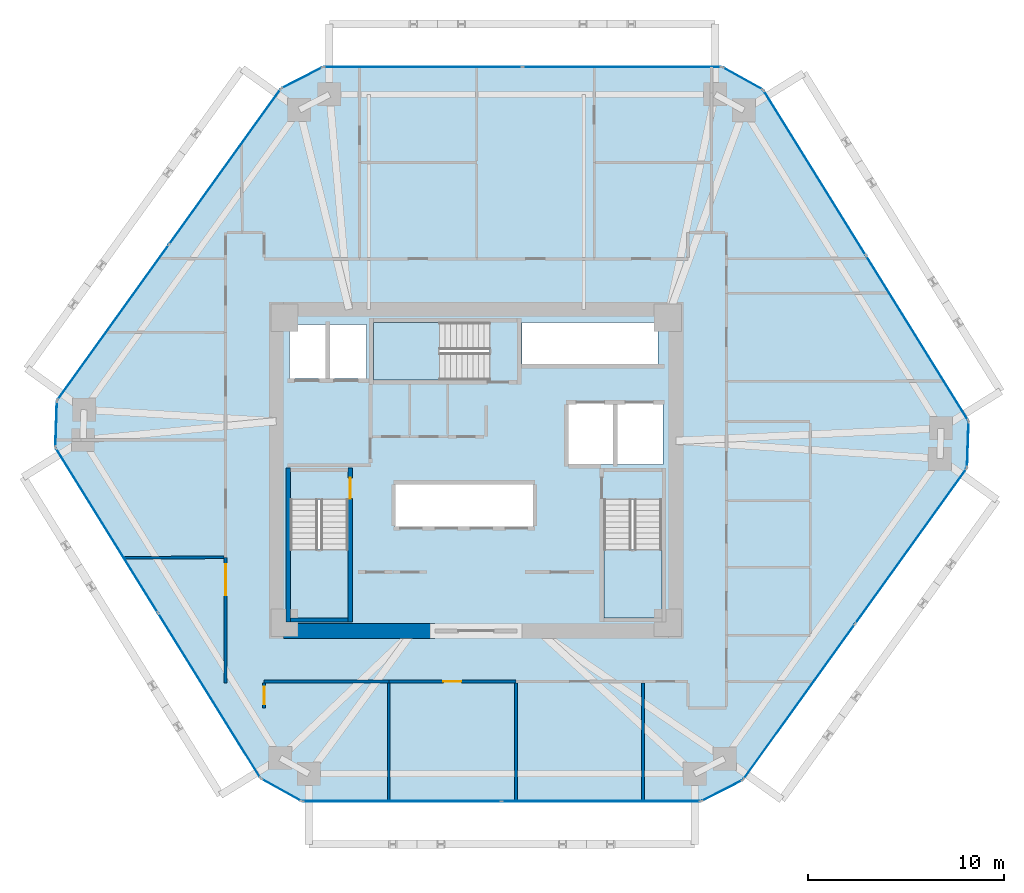
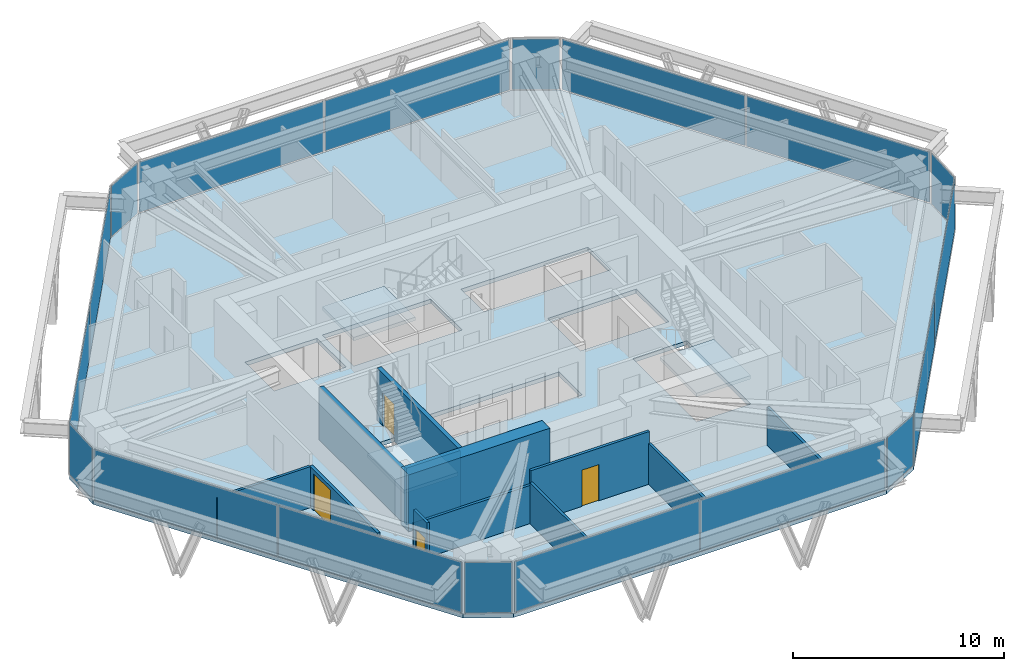
# One storey, part 9 of 14: 18 plates, 12 walls, 4 doors, 4 slabs, 4 openings, 15 elements without a shape of their own.
"""IFC4 building model written with IfcOpenShell, lengths in metres."""

from ifc_helpers import new_model, si_unit, direction, frame, frame_2d, origin, origin_2d, place, context, subcontext, project, spatial, polyline, rectangle, outline, extrude, source, transform, mapped, material, layer, layer_set, type_object, type_shapes, element, fill, aggregate, save


model = new_model("IFC4")

# Units and contexts
model_context = context("Model", 3, precision=1e-05, world=origin(), true_north=direction((0.0, 1.0)))
body_context = subcontext(model_context, "Body", "Model", "MODEL_VIEW")
ifc_project = project(units=[si_unit("LENGTHUNIT", "METRE"), si_unit("AREAUNIT", "SQUARE_METRE"), si_unit("VOLUMEUNIT", "CUBIC_METRE"), si_unit("PLANEANGLEUNIT", "RADIAN"), si_unit("MASSUNIT", "GRAM", prefix="KILO")], contexts=[model_context])

# Site, building, storey
site_placement = place(None, origin())
site = spatial("IfcSite", under=ifc_project, at=site_placement, CompositionType="ELEMENT")
building_placement = place(site_placement, origin())
building = spatial("IfcBuilding", under=site, at=building_placement, Name="Durnholm Broadcast Tower", CompositionType="ELEMENT")
storey_placement = place(building_placement, frame((0.0, 0.0, 120.60009765625)))
storey = spatial("IfcBuildingStorey", under=building, at=storey_placement, Name="L32", CompositionType="ELEMENT", Elevation=120.60009765625)

# Slab
ifc_material_1 = material(Name="Concrete C50/60", Category="concrete")
ifc_layer_1 = layer(ifc_material_1, 0.239990234375)
ifc_layer_set_1 = layer_set([ifc_layer_1], Name="Concrete C50/60")
slab_type_1 = type_object("IfcSlabType", Name="SLAB-FLR-240", PredefinedType="FLOOR", material=ifc_layer_set_1)
slab_1_placement = place(storey_placement, frame((0.0, 0.0, -0.239990234375)))
element("IfcSlab", 1, at=slab_1_placement, inside=storey, type_object=slab_type_1, Name="L32 structural floor slab", PredefinedType="FLOOR", context=body_context, shape_type="SweptSolid", body=[
    extrude(outline(polyline([(-11.012451171875, -15.77001953125), (-8.915283203125, -16.93701171875), (11.51416015625, -16.93701171875), (13.649658203125, -15.841796875), (25.11279296875, 0.114990234375), (25.1943359375, 2.513671875), (14.6904296875, 19.447998046875), (12.59326171875, 20.614990234375), (-7.836181640625, 20.614990234375), (-9.9716796875, 19.519775390625), (-21.434814453125, 3.56298828125), (-21.516357421875, 1.164306640625), (-11.012451171875, -15.77001953125)]), holes=[polyline([(-6.5400390625, -1.5), (-9.5, -1.5), (-9.5, -7.550048828125), (-6.5400390625, -7.550048828125), (-6.5400390625, -1.5)]), polyline([(9.5, -7.550048828125), (9.5, -1.5), (6.5400390625, -1.5), (6.5400390625, -7.550048828125), (9.5, -7.550048828125)]), polyline([(2.949951171875, -0.699951171875), (-4.14990234375, -0.699951171875), (-4.14990234375, -2.89990234375), (2.949951171875, -2.89990234375), (2.949951171875, -0.699951171875)]), polyline([(9.550048828125, 3.39990234375), (4.699951171875, 3.39990234375), (4.699951171875, 0.300048828125), (9.550048828125, 0.300048828125), (9.550048828125, 3.39990234375)]), polyline([(-5.60009765625, 7.449951171875), (-9.550048828125, 7.449951171875), (-9.550048828125, 4.699951171875), (-5.60009765625, 4.699951171875), (-5.60009765625, 7.449951171875)]), polyline([(-5.25, 4.60009765625), (0.699951171875, 4.60009765625), (0.699951171875, 7.56005859375), (-5.25, 7.56005859375), (-5.25, 4.60009765625)]), polyline([(9.31005859375, 7.550048828125), (2.35009765625, 7.550048828125), (2.35009765625, 5.39990234375), (9.31005859375, 5.39990234375), (9.31005859375, 7.550048828125)])]), origin(), (0.0, 0.0, 1.0), 0.239990234375),
])

# Stair, slab
stair_type = type_object("IfcStairType", Name="STAIR-DL-20R1650", PredefinedType="HALF_TURN_STAIR", material=ifc_material_1)
stair_1_placement = place(storey_placement, origin())
stair_1 = element("IfcStair", 2, at=stair_1_placement, inside=storey, type_object=stair_type, Name="L32 ST-1", PredefinedType="HALF_TURN_STAIR")
ifc_layer_2 = layer(ifc_material_1, 0.199951171875)
ifc_layer_set_2 = layer_set([ifc_layer_2], Name="Concrete C50/60")
slab_type_2 = type_object("IfcSlabType", Name="SLAB-LND-200", PredefinedType="LANDING", material=ifc_layer_set_2)
slab_2_placement = place(storey_placement, frame((0.0, 0.0, 1.449951171875)))
slab_2 = element("IfcSlab", 3, at=slab_2_placement, type_object=slab_type_2, Name="ST-1 landing 1", PredefinedType="LANDING", context=body_context, shape_type="SweptSolid", body=[
    extrude(outline(polyline([(-9.5, -4.06494140625), (-9.5, -7.550048828125), (-6.5400390625, -7.550048828125), (-6.5400390625, -4.06494140625), (-9.5, -4.06494140625)])), origin(), (0.0, 0.0, 1.0), 0.199951171875),
])
aggregate(stair_1, [slab_2])

stair_2_placement = place(storey_placement, origin())
stair_2 = element("IfcStair", 4, at=stair_2_placement, inside=storey, type_object=stair_type, Name="L32 ST-2", PredefinedType="HALF_TURN_STAIR")
slab_3_placement = place(storey_placement, frame((0.0, 0.0, 1.449951171875)))
slab_3 = element("IfcSlab", 5, at=slab_3_placement, type_object=slab_type_2, Name="ST-2 landing 1", PredefinedType="LANDING", context=body_context, shape_type="SweptSolid", body=[
    extrude(outline(polyline([(6.5400390625, -4.06494140625), (6.5400390625, -7.550048828125), (9.5, -7.550048828125), (9.5, -4.06494140625), (6.5400390625, -4.06494140625)])), origin(), (0.0, 0.0, 1.0), 0.199951171875),
])
aggregate(stair_2, [slab_3])

stair_3_placement = place(storey_placement, origin())
stair_3 = element("IfcStair", 6, at=stair_3_placement, inside=storey, type_object=stair_type, Name="L32 ST-3", PredefinedType="HALF_TURN_STAIR")
slab_4_placement = place(storey_placement, frame((0.0, 0.0, 1.449951171875)))
slab_4 = element("IfcSlab", 7, at=slab_4_placement, type_object=slab_type_2, Name="ST-3 landing 1", PredefinedType="LANDING", context=body_context, shape_type="SweptSolid", body=[
    extrude(outline(polyline([(-1.864990234375, 7.56005859375), (-5.25, 7.56005859375), (-5.25, 4.60009765625), (-1.864990234375, 4.60009765625), (-1.864990234375, 7.56005859375)])), origin(), (0.0, 0.0, 1.0), 0.199951171875),
])
aggregate(stair_3, [slab_4])

# Curtain wall, plate
ifc_material_2 = material(Name="Aluminium and Solar Control IGU", Category="aluminium")
ifc_layer_3 = layer(ifc_material_2, 0.1650390625)
ifc_layer_set_3 = layer_set([ifc_layer_3], Name="Aluminium and Solar Control IGU")
curtain_wall_type_1 = type_object("IfcCurtainWallType", Name="CW-SYS-5", PredefinedType="NOTDEFINED", material=ifc_layer_set_3)
curtain_wall_1_placement = place(storey_placement, origin())
curtain_wall_1 = element("IfcCurtainWall", 8, at=curtain_wall_1_placement, inside=storey, type_object=curtain_wall_type_1, Name="L32 curtain wall CW-CORNER CW-L32-CRN-01", PredefinedType="NOTDEFINED")
ifc_material_3 = material(Name="Low-E Laminated Insulating Glass", Category="glass")
ifc_layer_4 = layer(ifc_material_3, 0.030029296875)
ifc_layer_set_4 = layer_set([ifc_layer_4], Name="Low-E Laminated Insulating Glass")
plate_type_1 = type_object("IfcPlateType", Name="CW-SYS-5-PNL", PredefinedType="CURTAIN_PANEL", material=ifc_layer_set_4)
shared_shape_1 = source(origin(), body_context, "Body", "SweptSolid", [
    extrude(rectangle(XDim=2.27001953125, YDim=0.030029296875, at=origin_2d()), origin(), (0.0, 0.0, 1.0), 2.929931640625),
])
type_shapes(plate_type_1, [shared_shape_1])
plate_1_placement = place(storey_placement, frame((-21.4755859375, 2.36376953125, 0.06494140625), z_axis=(0.0, 0.0, 1.0), x_axis=(0.033916937775, 0.999424655155, 0.0)))
plate_1 = element("IfcPlate", 9, at=plate_1_placement, type_object=plate_type_1, Name="CW-CORNER panel 1.1", PredefinedType="CURTAIN_PANEL", context=body_context, shape_type="MappedRepresentation", body=[
    mapped(shared_shape_1, transform((0.0, 0.0, 0.0), x_axis=(1.0, 0.0, 0.0), y_axis=(0.0, 1.0, 0.0), z_axis=(0.0, 0.0, 1.0), scale=1.0)),
])
aggregate(curtain_wall_1, [plate_1])

curtain_wall_2_placement = place(storey_placement, origin())
curtain_wall_2 = element("IfcCurtainWall", 10, at=curtain_wall_2_placement, inside=storey, type_object=curtain_wall_type_1, Name="L32 curtain wall CW-CORNER CW-L32-CRN-03", PredefinedType="NOTDEFINED")
plate_2_placement = place(storey_placement, frame((-8.904052734375, 20.0673828125, 0.06494140625), z_axis=(0.0, 0.0, 1.0), x_axis=(0.889788396392, 0.45637332267, 0.0)))
plate_2 = element("IfcPlate", 11, at=plate_2_placement, type_object=plate_type_1, Name="CW-CORNER panel 1.1", PredefinedType="CURTAIN_PANEL", context=body_context, shape_type="MappedRepresentation", body=[
    mapped(shared_shape_1, transform((0.0, 0.0, 0.0), x_axis=(1.0, 0.0, 0.0), y_axis=(0.0, 1.0, 0.0), z_axis=(0.0, 0.0, 1.0), scale=1.0)),
])
aggregate(curtain_wall_2, [plate_2])

curtain_wall_3_placement = place(storey_placement, origin())
curtain_wall_3 = element("IfcCurtainWall", 12, at=curtain_wall_3_placement, inside=storey, type_object=curtain_wall_type_1, Name="L32 curtain wall CW-CORNER CW-L32-CRN-05", PredefinedType="NOTDEFINED")
plate_3_placement = place(storey_placement, frame((13.641845703125, 20.031494140625, 0.06494140625), z_axis=(0.0, 0.0, 1.0), x_axis=(0.873822953715, -0.486244224192, 0.0)))
plate_3 = element("IfcPlate", 13, at=plate_3_placement, type_object=plate_type_1, Name="CW-CORNER panel 1.1", PredefinedType="CURTAIN_PANEL", context=body_context, shape_type="MappedRepresentation", body=[
    mapped(shared_shape_1, transform((0.0, 0.0, 0.0), x_axis=(1.0, 0.0, 0.0), y_axis=(0.0, 1.0, 0.0), z_axis=(0.0, 0.0, 1.0), scale=1.0)),
])
aggregate(curtain_wall_3, [plate_3])

curtain_wall_4_placement = place(storey_placement, origin())
curtain_wall_4 = element("IfcCurtainWall", 14, at=curtain_wall_4_placement, inside=storey, type_object=curtain_wall_type_1, Name="L32 curtain wall CW-CORNER CW-L32-CRN-07", PredefinedType="NOTDEFINED")
plate_4_placement = place(storey_placement, frame((25.153564453125, 1.314208984375, 0.06494140625), z_axis=(0.0, 0.0, 1.0), x_axis=(-0.033916937775, -0.999424655155, 0.0)))
plate_4 = element("IfcPlate", 15, at=plate_4_placement, type_object=plate_type_1, Name="CW-CORNER panel 1.1", PredefinedType="CURTAIN_PANEL", context=body_context, shape_type="MappedRepresentation", body=[
    mapped(shared_shape_1, transform((0.0, 0.0, 0.0), x_axis=(1.0, 0.0, 0.0), y_axis=(0.0, 1.0, 0.0), z_axis=(0.0, 0.0, 1.0), scale=1.0)),
])
aggregate(curtain_wall_4, [plate_4])

curtain_wall_5_placement = place(storey_placement, origin())
curtain_wall_5 = element("IfcCurtainWall", 16, at=curtain_wall_5_placement, inside=storey, type_object=curtain_wall_type_1, Name="L32 curtain wall CW-CORNER CW-L32-CRN-09", PredefinedType="NOTDEFINED")
plate_5_placement = place(storey_placement, frame((12.58203125, -16.389404296875, 0.06494140625), z_axis=(0.0, 0.0, 1.0), x_axis=(-0.889788396392, -0.45637332267, 0.0)))
plate_5 = element("IfcPlate", 17, at=plate_5_placement, type_object=plate_type_1, Name="CW-CORNER panel 1.1", PredefinedType="CURTAIN_PANEL", context=body_context, shape_type="MappedRepresentation", body=[
    mapped(shared_shape_1, transform((0.0, 0.0, 0.0), x_axis=(1.0, 0.0, 0.0), y_axis=(0.0, 1.0, 0.0), z_axis=(0.0, 0.0, 1.0), scale=1.0)),
])
aggregate(curtain_wall_5, [plate_5])

curtain_wall_6_placement = place(storey_placement, origin())
curtain_wall_6 = element("IfcCurtainWall", 18, at=curtain_wall_6_placement, inside=storey, type_object=curtain_wall_type_1, Name="L32 curtain wall CW-CORNER CW-L32-CRN-11", PredefinedType="NOTDEFINED")
plate_6_placement = place(storey_placement, frame((-9.9638671875, -16.353515625, 0.06494140625), z_axis=(0.0, 0.0, 1.0), x_axis=(-0.873822953715, 0.486244224192, 0.0)))
plate_6 = element("IfcPlate", 19, at=plate_6_placement, type_object=plate_type_1, Name="CW-CORNER panel 1.1", PredefinedType="CURTAIN_PANEL", context=body_context, shape_type="MappedRepresentation", body=[
    mapped(shared_shape_1, transform((0.0, 0.0, 0.0), x_axis=(1.0, 0.0, 0.0), y_axis=(0.0, 1.0, 0.0), z_axis=(0.0, 0.0, 1.0), scale=1.0)),
])
aggregate(curtain_wall_6, [plate_6])

# Curtain wall, plates
ifc_layer_5 = layer(ifc_material_2, 0.18994140625)
ifc_layer_set_5 = layer_set([ifc_layer_5], Name="Aluminium and Solar Control IGU")
curtain_wall_type_2 = type_object("IfcCurtainWallType", Name="CW-SYS-3", PredefinedType="NOTDEFINED", material=ifc_layer_set_5)
curtain_wall_7_placement = place(storey_placement, origin())
curtain_wall_7 = element("IfcCurtainWall", 20, at=curtain_wall_7_placement, inside=storey, type_object=curtain_wall_type_2, Name="L32 curtain wall CW-Z12-VIS CW-L32-F02", PredefinedType="NOTDEFINED")
ifc_layer_6 = layer(ifc_material_3, 0.031982421875)
ifc_layer_set_6 = layer_set([ifc_layer_6], Name="Low-E Laminated Insulating Glass")
plate_type_2 = type_object("IfcPlateType", Name="CW-SYS-3-PNL", PredefinedType="CURTAIN_PANEL", material=ifc_layer_set_6)
shared_shape_2 = source(origin(), body_context, "Body", "SweptSolid", [
    extrude(rectangle(XDim=9.71875, YDim=0.031982421875, at=origin_2d()), origin(), (0.0, 0.0, 1.0), 2.919921875),
])
plate_7_placement = place(storey_placement, frame((-18.558837890625, 7.56640625, 0.06982421875), z_axis=(0.0, 0.0, 1.0), x_axis=(0.583445473786, 0.812152312759, 0.0)))
plate_7 = element("IfcPlate", 21, at=plate_7_placement, type_object=plate_type_2, Name="CW-Z12-VIS panel 1.1", PredefinedType="CURTAIN_PANEL", context=body_context, shape_type="MappedRepresentation", body=[
    mapped(shared_shape_2, transform((0.0, 0.0, 0.0), x_axis=(1.0, 0.0, 0.0), y_axis=(0.0, 1.0, 0.0), z_axis=(0.0, 0.0, 1.0), scale=1.0)),
])
plate_8_placement = place(storey_placement, frame((-12.84765625, 15.516357421875, 0.06982421875), z_axis=(0.0, 0.0, 1.0), x_axis=(0.583445473786, 0.812152312759, 0.0)))
plate_8 = element("IfcPlate", 22, at=plate_8_placement, type_object=plate_type_2, Name="CW-Z12-VIS panel 2.1", PredefinedType="CURTAIN_PANEL", context=body_context, shape_type="MappedRepresentation", body=[
    mapped(shared_shape_2, transform((0.0, 0.0, 0.0), x_axis=(1.0, 0.0, 0.0), y_axis=(0.0, 1.0, 0.0), z_axis=(0.0, 0.0, 1.0), scale=1.0)),
])
aggregate(curtain_wall_7, [plate_7, plate_8])

curtain_wall_8_placement = place(storey_placement, origin())
curtain_wall_8 = element("IfcCurtainWall", 23, at=curtain_wall_8_placement, inside=storey, type_object=curtain_wall_type_2, Name="L32 curtain wall CW-Z12-VIS CW-L32-F08", PredefinedType="NOTDEFINED")
plate_9_placement = place(storey_placement, frame((22.23681640625, -3.888427734375, 0.06982421875), z_axis=(0.0, 0.0, 1.0), x_axis=(-0.583445473786, -0.812152312759, 0.0)))
plate_9 = element("IfcPlate", 24, at=plate_9_placement, type_object=plate_type_2, Name="CW-Z12-VIS panel 1.1", PredefinedType="CURTAIN_PANEL", context=body_context, shape_type="MappedRepresentation", body=[
    mapped(shared_shape_2, transform((0.0, 0.0, 0.0), x_axis=(1.0, 0.0, 0.0), y_axis=(0.0, 1.0, 0.0), z_axis=(0.0, 0.0, 1.0), scale=1.0)),
])
plate_10_placement = place(storey_placement, frame((16.525634765625, -11.83837890625, 0.06982421875), z_axis=(0.0, 0.0, 1.0), x_axis=(-0.583445473786, -0.812152312759, 0.0)))
plate_10 = element("IfcPlate", 25, at=plate_10_placement, type_object=plate_type_2, Name="CW-Z12-VIS panel 2.1", PredefinedType="CURTAIN_PANEL", context=body_context, shape_type="MappedRepresentation", body=[
    mapped(shared_shape_2, transform((0.0, 0.0, 0.0), x_axis=(1.0, 0.0, 0.0), y_axis=(0.0, 1.0, 0.0), z_axis=(0.0, 0.0, 1.0), scale=1.0)),
])
aggregate(curtain_wall_8, [plate_9, plate_10])

curtain_wall_9_placement = place(storey_placement, origin())
curtain_wall_9 = element("IfcCurtainWall", 26, at=curtain_wall_9_placement, inside=storey, type_object=curtain_wall_type_2, Name="L32 curtain wall CW-Z12-VIS CW-L32-F04", PredefinedType="NOTDEFINED")
shared_shape_3 = source(origin(), body_context, "Body", "SweptSolid", [
    extrude(rectangle(XDim=10.109619140625, YDim=0.031982421875, at=origin_2d()), origin(), (0.0, 0.0, 1.0), 2.919921875),
])
plate_11_placement = place(storey_placement, frame((-2.71142578125, 20.614990234375, 0.06982421875), z_axis=(0.0, 0.0, 1.0), x_axis=(1.0, 0.0, 0.0)))
plate_11 = element("IfcPlate", 27, at=plate_11_placement, type_object=plate_type_2, Name="CW-Z12-VIS panel 1.1", PredefinedType="CURTAIN_PANEL", context=body_context, shape_type="MappedRepresentation", body=[
    mapped(shared_shape_3, transform((0.0, 0.0, 0.0), x_axis=(1.0, 0.0, 0.0), y_axis=(0.0, 1.0, 0.0), z_axis=(0.0, 0.0, 1.0), scale=1.0)),
])
plate_12_placement = place(storey_placement, frame((7.46826171875, 20.614990234375, 0.06982421875), z_axis=(0.0, 0.0, 1.0), x_axis=(1.0, 0.0, 0.0)))
plate_12 = element("IfcPlate", 28, at=plate_12_placement, type_object=plate_type_2, Name="CW-Z12-VIS panel 2.1", PredefinedType="CURTAIN_PANEL", context=body_context, shape_type="MappedRepresentation", body=[
    mapped(shared_shape_3, transform((0.0, 0.0, 0.0), x_axis=(1.0, 0.0, 0.0), y_axis=(0.0, 1.0, 0.0), z_axis=(0.0, 0.0, 1.0), scale=1.0)),
])
aggregate(curtain_wall_9, [plate_11, plate_12])

curtain_wall_10_placement = place(storey_placement, origin())
curtain_wall_10 = element("IfcCurtainWall", 29, at=curtain_wall_10_placement, inside=storey, type_object=curtain_wall_type_2, Name="L32 curtain wall CW-Z12-VIS CW-L32-F10", PredefinedType="NOTDEFINED")
plate_13_placement = place(storey_placement, frame((6.389404296875, -16.93701171875, 0.06982421875), z_axis=(0.0, 0.0, 1.0), x_axis=(-1.0, 0.0, 0.0)))
plate_13 = element("IfcPlate", 30, at=plate_13_placement, type_object=plate_type_2, Name="CW-Z12-VIS panel 1.1", PredefinedType="CURTAIN_PANEL", context=body_context, shape_type="MappedRepresentation", body=[
    mapped(shared_shape_3, transform((0.0, 0.0, 0.0), x_axis=(1.0, 0.0, 0.0), y_axis=(0.0, 1.0, 0.0), z_axis=(0.0, 0.0, 1.0), scale=1.0)),
])
plate_14_placement = place(storey_placement, frame((-3.790283203125, -16.93701171875, 0.06982421875), z_axis=(0.0, 0.0, 1.0), x_axis=(-1.0, 0.0, 0.0)))
plate_14 = element("IfcPlate", 31, at=plate_14_placement, type_object=plate_type_2, Name="CW-Z12-VIS panel 2.1", PredefinedType="CURTAIN_PANEL", context=body_context, shape_type="MappedRepresentation", body=[
    mapped(shared_shape_3, transform((0.0, 0.0, 0.0), x_axis=(1.0, 0.0, 0.0), y_axis=(0.0, 1.0, 0.0), z_axis=(0.0, 0.0, 1.0), scale=1.0)),
])
aggregate(curtain_wall_10, [plate_13, plate_14])

curtain_wall_11_placement = place(storey_placement, origin())
curtain_wall_11 = element("IfcCurtainWall", 32, at=curtain_wall_11_placement, inside=storey, type_object=curtain_wall_type_2, Name="L32 curtain wall CW-Z12-VIS CW-L32-F06", PredefinedType="NOTDEFINED")
shared_shape_4 = source(origin(), body_context, "Body", "SweptSolid", [
    extrude(rectangle(XDim=9.858642578125, YDim=0.031982421875, at=origin_2d()), origin(), (0.0, 0.0, 1.0), 2.919921875),
])
type_shapes(plate_type_2, [shared_shape_2, shared_shape_3, shared_shape_4])
plate_15_placement = place(storey_placement, frame((17.32568359375, 15.199462890625, 0.06982421875), z_axis=(0.0, 0.0, 1.0), x_axis=(0.527105385176, -0.849799925229, 0.0)))
plate_15 = element("IfcPlate", 33, at=plate_15_placement, type_object=plate_type_2, Name="CW-Z12-VIS panel 1.1", PredefinedType="CURTAIN_PANEL", context=body_context, shape_type="MappedRepresentation", body=[
    mapped(shared_shape_4, transform((0.0, 0.0, 0.0), x_axis=(1.0, 0.0, 0.0), y_axis=(0.0, 1.0, 0.0), z_axis=(0.0, 0.0, 1.0), scale=1.0)),
])
plate_16_placement = place(storey_placement, frame((22.55908203125, 6.761962890625, 0.06982421875), z_axis=(0.0, 0.0, 1.0), x_axis=(0.527105385176, -0.849799925229, 0.0)))
plate_16 = element("IfcPlate", 34, at=plate_16_placement, type_object=plate_type_2, Name="CW-Z12-VIS panel 2.1", PredefinedType="CURTAIN_PANEL", context=body_context, shape_type="MappedRepresentation", body=[
    mapped(shared_shape_4, transform((0.0, 0.0, 0.0), x_axis=(1.0, 0.0, 0.0), y_axis=(0.0, 1.0, 0.0), z_axis=(0.0, 0.0, 1.0), scale=1.0)),
])
aggregate(curtain_wall_11, [plate_15, plate_16])

curtain_wall_12_placement = place(storey_placement, origin())
curtain_wall_12 = element("IfcCurtainWall", 35, at=curtain_wall_12_placement, inside=storey, type_object=curtain_wall_type_2, Name="L32 curtain wall CW-Z12-VIS CW-L32-F12", PredefinedType="NOTDEFINED")
plate_17_placement = place(storey_placement, frame((-13.647705078125, -11.521484375, 0.06982421875), z_axis=(0.0, 0.0, 1.0), x_axis=(-0.527105385176, 0.849799925229, 0.0)))
plate_17 = element("IfcPlate", 36, at=plate_17_placement, type_object=plate_type_2, Name="CW-Z12-VIS panel 1.1", PredefinedType="CURTAIN_PANEL", context=body_context, shape_type="MappedRepresentation", body=[
    mapped(shared_shape_4, transform((0.0, 0.0, 0.0), x_axis=(1.0, 0.0, 0.0), y_axis=(0.0, 1.0, 0.0), z_axis=(0.0, 0.0, 1.0), scale=1.0)),
])
plate_18_placement = place(storey_placement, frame((-18.881103515625, -3.083984375, 0.06982421875), z_axis=(0.0, 0.0, 1.0), x_axis=(-0.527105385176, 0.849799925229, 0.0)))
plate_18 = element("IfcPlate", 37, at=plate_18_placement, type_object=plate_type_2, Name="CW-Z12-VIS panel 2.1", PredefinedType="CURTAIN_PANEL", context=body_context, shape_type="MappedRepresentation", body=[
    mapped(shared_shape_4, transform((0.0, 0.0, 0.0), x_axis=(1.0, 0.0, 0.0), y_axis=(0.0, 1.0, 0.0), z_axis=(0.0, 0.0, 1.0), scale=1.0)),
])
aggregate(curtain_wall_12, [plate_17, plate_18])

# Walls
ifc_material_4 = material(Name="Concrete C70/85", Category="concrete")
ifc_layer_7 = layer(ifc_material_4, 0.75)
ifc_layer_set_7 = layer_set([ifc_layer_7], Name="Concrete C70/85")
wall_type_1 = type_object("IfcWallType", Name="WALL-CW-750", PredefinedType="SHEAR", material=ifc_layer_set_7)
wall_1_placement = place(storey_placement, frame((-9.85009765625, -8.22509765625, 0.0), z_axis=(0.0, 0.0, 1.0), x_axis=(1.0, 0.0, 0.0)))
element("IfcWall", 38, at=wall_1_placement, inside=storey, type_object=wall_type_1, Name="L32 central core shear wall CW-S1", PredefinedType="SHEAR", context=body_context, shape_type="SweptSolid", body=[
    extrude(rectangle(XDim=7.75, YDim=0.75, at=frame_2d((3.875, 0.0))), origin(), (0.0, 0.0, 1.0), 3.2998046875),
])
ifc_material_5 = material(Name="Gypsum Metal Stud Partition", Category="concrete")
ifc_layer_8 = layer(ifc_material_5, 0.135009765625)
ifc_layer_set_8 = layer_set([ifc_layer_8], Name="Gypsum Metal Stud Partition")
wall_type_2 = type_object("IfcWallType", Name="WALL-PART-135", PredefinedType="PARTITIONING", material=ifc_layer_set_8)
for number, where, z_axis, x_axis, name in (
    (39, (-4.4599609375, -10.888916015625, 0.0), (0.0, 0.0, 1.0), (0.0, -1.0, 0.0), "L32 room dividing partition 18.19"),
    (40, (2.0400390625, -10.888916015625, 0.0), (0.0, 0.0, 1.0), (0.0, -1.0, 0.0), "L32 room dividing partition 19.20"),
):
    element("IfcWall", number, at=place(storey_placement, frame(where, z_axis=z_axis, x_axis=x_axis)), inside=storey, type_object=wall_type_2, Name=name, PredefinedType="PARTITIONING", context=body_context, shape_type="SweptSolid", body=[
        extrude(rectangle(XDim=6.048095703125, YDim=0.135009765625, at=frame_2d((3.02392578125, 0.0))), origin(), (0.0, 0.0, 1.0), 2.3798828125),
    ])
wall_2_placement = place(storey_placement, frame((8.5400390625, -10.888916015625, 0.0), z_axis=(0.0, 0.0, 1.0), x_axis=(0.0, -1.0, 0.0)))
element("IfcWall", 41, at=wall_2_placement, inside=storey, type_object=wall_type_2, Name="L32 room dividing partition 20.21", PredefinedType="PARTITIONING", context=body_context, shape_type="SweptSolid", body=[
    extrude(rectangle(XDim=6.048095703125, YDim=0.135009765625, at=frame_2d((3.02392578125, 0.0))), origin(), (0.0, 0.0, 1.0), 2.2119140625),
])
wall_3_placement = place(storey_placement, frame((-18.0146484375, -4.481201171875, 0.0), z_axis=(0.0, 0.0, 1.0), x_axis=(0.999991610624, 0.004096179019, 0.0)))
element("IfcWall", 42, at=wall_3_placement, inside=storey, type_object=wall_type_2, Name="L32 room dividing partition 22.23", PredefinedType="PARTITIONING", context=body_context, shape_type="SweptSolid", body=[
    extrude(rectangle(XDim=5.125732421875, YDim=0.135009765625, at=frame_2d((2.56298828125, 0.0))), origin(), (0.0, 0.0, 1.0), 2.3798828125),
])
ifc_material_6 = material(Name="Acoustic Gypsum Stud Partition", Category="concrete")
ifc_layer_9 = layer(ifc_material_6, 0.14990234375)
ifc_layer_set_9 = layer_set([ifc_layer_9], Name="Acoustic Gypsum Stud Partition")
wall_type_3 = type_object("IfcWallType", Name="WALL-PART-150", PredefinedType="PARTITIONING", material=ifc_layer_set_9)
wall_4_placement = place(storey_placement, frame((-10.840087890625, -10.81005859375, 0.0), z_axis=(0.0, 0.0, 1.0), x_axis=(1.0, 0.0, 0.0)))
element("IfcWall", 43, at=wall_4_placement, inside=storey, type_object=wall_type_3, Name="L32 Open Plan Broadcast Workspace 4 corridor partition", PredefinedType="PARTITIONING", context=body_context, shape_type="SweptSolid", body=[
    extrude(rectangle(XDim=6.380126953125, YDim=0.14990234375, at=frame_2d((3.18994140625, 0.0))), origin(), (0.0, 0.0, 1.0), 2.2119140625),
])

# Wall, opening, door
wall_5_placement = place(storey_placement, frame((-10.840087890625, -12.159912109375, 0.0), z_axis=(0.0, 0.0, 1.0), x_axis=(0.0, 1.0, 0.0)))
wall_5 = element("IfcWall", 44, at=wall_5_placement, inside=storey, type_object=wall_type_3, Name="L32 Open Plan Broadcast Workspace 4 corridor partition", PredefinedType="PARTITIONING", context=body_context, shape_type="SweptSolid", body=[
    extrude(rectangle(XDim=1.27099609375, YDim=0.14990234375, at=frame_2d((0.635498046875, 0.0))), origin(), (0.0, 0.0, 1.0), 3.044921875),
])
opening_1_placement = place(wall_5_placement, frame((0.185546875, 0.0, 0.0)))
opening_1 = element("IfcOpeningElement", 45, at=opening_1_placement, cuts=wall_5, Name="Opening DW-90L", PredefinedType="OPENING", context=body_context, shape_type="SweptSolid", body=[
    extrude(rectangle(XDim=0.89990234375, YDim=2.050048828125, at=frame_2d((0.449951171875, 1.02490234375))), frame((0.0, 0.0849609375, 0.0), z_axis=(0.0, -1.0, 0.0), x_axis=(1.0, 0.0, 0.0)), (0.0, 0.0, 1.0), 0.169921875),
])
ifc_material_7 = material(Name="Laminate Restroom Door", Category="steel")
ifc_layer_10 = layer(ifc_material_7, 0.050048828125)
ifc_layer_set_10 = layer_set([ifc_layer_10], Name="Laminate Restroom Door")
door_type_1 = type_object("IfcDoorType", Name="DOOR-WC-900L", OperationType="NOTDEFINED", PredefinedType="DOOR", material=ifc_layer_set_10)
shared_shape_5 = source(origin(), body_context, "Body", "SweptSolid", [
    extrude(rectangle(XDim=0.89990234375, YDim=2.050048828125, at=frame_2d((0.449951171875, 1.02490234375))), frame((0.0, 0.02490234375, 0.0), z_axis=(0.0, -1.0, 0.0), x_axis=(1.0, 0.0, 0.0)), (0.0, 0.0, 1.0), 0.050048828125),
])
type_shapes(door_type_1, [shared_shape_5])
door_1_placement = place(opening_1_placement, origin())
door_1 = element("IfcDoor", 46, at=door_1_placement, inside=storey, type_object=door_type_1, Name="L32 Open Plan Broadcast Workspace 4 entrance door", OperationType="SINGLE_SWING_LEFT", OverallHeight=2.050048828125, OverallWidth=0.89990234375, PredefinedType="DOOR", context=body_context, shape_type="MappedRepresentation", body=[
    mapped(shared_shape_5, transform((0.0, 0.0, 0.0), x_axis=(1.0, 0.0, 0.0), y_axis=(0.0, 1.0, 0.0), z_axis=(0.0, 0.0, 1.0), scale=1.0)),
])
fill(opening_1, door_1)

wall_6_placement = place(storey_placement, frame((-4.4599609375, -10.81005859375, 0.0), z_axis=(0.0, 0.0, 1.0), x_axis=(1.0, 0.0, 0.0)))
wall_6 = element("IfcWall", 47, at=wall_6_placement, inside=storey, type_object=wall_type_3, Name="L32 Syndication Meeting Room 1 corridor partition", PredefinedType="PARTITIONING", context=body_context, shape_type="SweptSolid", body=[
    extrude(rectangle(XDim=6.5, YDim=0.14990234375, at=frame_2d((3.25, 0.0))), origin(), (0.0, 0.0, 1.0), 3.044921875),
])
opening_2_placement = place(wall_6_placement, frame((2.7900390625, 0.0, 0.0)))
opening_2 = element("IfcOpeningElement", 48, at=opening_2_placement, cuts=wall_6, Name="Opening DR-92R", PredefinedType="OPENING", context=body_context, shape_type="SweptSolid", body=[
    extrude(rectangle(XDim=0.919921875, YDim=2.10009765625, at=frame_2d((0.4599609375, 1.050048828125))), frame((0.0, 0.0849609375, 0.0), z_axis=(0.0, -1.0, 0.0), x_axis=(1.0, 0.0, 0.0)), (0.0, 0.0, 1.0), 0.169921875),
])
ifc_material_8 = material(Name="Oak Veneer Office Door", Category="wood")
ifc_layer_11 = layer(ifc_material_8, 0.050048828125)
ifc_layer_set_11 = layer_set([ifc_layer_11], Name="Oak Veneer Office Door")
door_type_2 = type_object("IfcDoorType", Name="DOOR-RM-920R", OperationType="NOTDEFINED", PredefinedType="DOOR", material=ifc_layer_set_11)
shared_shape_6 = source(origin(), body_context, "Body", "SweptSolid", [
    extrude(rectangle(XDim=0.919921875, YDim=2.10009765625, at=frame_2d((0.4599609375, 1.050048828125))), frame((0.0, 0.02490234375, 0.0), z_axis=(0.0, -1.0, 0.0), x_axis=(1.0, 0.0, 0.0)), (0.0, 0.0, 1.0), 0.050048828125),
])
type_shapes(door_type_2, [shared_shape_6])
door_2_placement = place(opening_2_placement, origin())
door_2 = element("IfcDoor", 49, at=door_2_placement, inside=storey, type_object=door_type_2, Name="L32 Syndication Meeting Room 1 entrance door", OperationType="SINGLE_SWING_RIGHT", OverallHeight=2.10009765625, OverallWidth=0.919921875, PredefinedType="DOOR", context=body_context, shape_type="MappedRepresentation", body=[
    mapped(shared_shape_6, transform((0.0, 0.0, 0.0), x_axis=(1.0, 0.0, 0.0), y_axis=(0.0, 1.0, 0.0), z_axis=(0.0, 0.0, 1.0), scale=1.0)),
])
fill(opening_2, door_2)

wall_7_placement = place(storey_placement, frame((-12.81005859375, -4.4599609375, 0.0), z_axis=(0.0, 0.0, 1.0), x_axis=(0.0, -1.0, 0.0)))
wall_7 = element("IfcWall", 50, at=wall_7_placement, inside=storey, type_object=wall_type_3, Name="L32 Sales Presentation Hall corridor partition", PredefinedType="PARTITIONING", context=body_context, shape_type="SweptSolid", body=[
    extrude(rectangle(XDim=6.429931640625, YDim=0.14990234375, at=frame_2d((3.21484375, 0.0))), origin(), (0.0, 0.0, 1.0), 2.3798828125),
])
opening_3_placement = place(wall_7_placement, frame((0.35009765625, 0.0, 0.0)))
opening_3 = element("IfcOpeningElement", 51, at=opening_3_placement, cuts=wall_7, Name="Opening DST-160", PredefinedType="OPENING", context=body_context, shape_type="SweptSolid", body=[
    extrude(rectangle(XDim=1.60009765625, YDim=2.14990234375, at=frame_2d((0.800048828125, 1.074951171875))), frame((0.0, 0.0849609375, 0.0), z_axis=(0.0, -1.0, 0.0), x_axis=(1.0, 0.0, 0.0)), (0.0, 0.0, 1.0), 0.169921875),
])
ifc_material_9 = material(Name="Acoustic Broadcast Studio Sound-Lock Door", Category="steel")
ifc_layer_12 = layer(ifc_material_9, 0.050048828125)
ifc_layer_set_12 = layer_set([ifc_layer_12], Name="Acoustic Broadcast Studio Sound-Lock Door")
door_type_3 = type_object("IfcDoorType", Name="DOOR-STU-1600", OperationType="DOUBLE_DOOR_SINGLE_SWING", PredefinedType="DOOR", material=ifc_layer_set_12)
shared_shape_7 = source(origin(), body_context, "Body", "SweptSolid", [
    extrude(rectangle(XDim=1.60009765625, YDim=2.14990234375, at=frame_2d((0.800048828125, 1.074951171875))), frame((0.0, 0.02490234375, 0.0), z_axis=(0.0, -1.0, 0.0), x_axis=(1.0, 0.0, 0.0)), (0.0, 0.0, 1.0), 0.050048828125),
])
type_shapes(door_type_3, [shared_shape_7])
door_3_placement = place(opening_3_placement, origin())
door_3 = element("IfcDoor", 52, at=door_3_placement, inside=storey, type_object=door_type_3, Name="L32 Sales Presentation Hall entrance door", OperationType="DOUBLE_DOOR_SINGLE_SWING", OverallHeight=2.14990234375, OverallWidth=1.60009765625, PredefinedType="DOOR", context=body_context, shape_type="MappedRepresentation", body=[
    mapped(shared_shape_7, transform((0.0, 0.0, 0.0), x_axis=(1.0, 0.0, 0.0), y_axis=(0.0, 1.0, 0.0), z_axis=(0.0, 0.0, 1.0), scale=1.0)),
])
fill(opening_3, door_3)

ifc_layer_13 = layer(ifc_material_1, 0.219970703125)
ifc_layer_set_13 = layer_set([ifc_layer_13], Name="Concrete C50/60")
wall_type_4 = type_object("IfcWallType", Name="WALL-SW-220", PredefinedType="SHEAR", material=ifc_layer_set_13)
wall_8_placement = place(storey_placement, frame((-6.429931640625, -7.77001953125, -0.239990234375), z_axis=(0.0, 0.0, 1.0), x_axis=(0.0, 1.0, 0.0)))
wall_8 = element("IfcWall", 53, at=wall_8_placement, inside=storey, type_object=wall_type_4, Name="L32 stair ST-1 structural shaft wall E", PredefinedType="SHEAR", context=body_context, shape_type="SweptSolid", body=[
    extrude(rectangle(XDim=7.89013671875, YDim=0.219970703125, at=frame_2d((3.945068359375, 0.0))), origin(), (0.0, 0.0, 1.0), 3.2998046875),
])
opening_4_placement = place(wall_8_placement, frame((6.320068359375, 0.0, 0.0)))
opening_4 = element("IfcOpeningElement", 54, at=opening_4_placement, cuts=wall_8, Name="Opening DS-90L", PredefinedType="OPENING", context=body_context, shape_type="SweptSolid", body=[
    extrude(rectangle(XDim=1.050048828125, YDim=2.14990234375, at=frame_2d((0.52490234375, 1.074951171875))), frame((0.0, 0.1201171875, 0.0), z_axis=(0.0, -1.0, 0.0), x_axis=(1.0, 0.0, 0.0)), (0.0, 0.0, 1.0), 0.239990234375),
])
ifc_material_10 = material(Name="Fire-Rated Steel Door", Category="steel")
ifc_layer_14 = layer(ifc_material_10, 0.050048828125)
ifc_layer_set_14 = layer_set([ifc_layer_14], Name="Fire-Rated Steel Door")
door_type_4 = type_object("IfcDoorType", Name="DOOR-ST-FD90-L", OperationType="NOTDEFINED", PredefinedType="DOOR", material=ifc_layer_set_14)
shared_shape_8 = source(origin(), body_context, "Body", "SweptSolid", [
    extrude(rectangle(XDim=1.050048828125, YDim=2.14990234375, at=frame_2d((0.52490234375, 1.074951171875))), frame((0.0, 0.02490234375, 0.0), z_axis=(0.0, -1.0, 0.0), x_axis=(1.0, 0.0, 0.0)), (0.0, 0.0, 1.0), 0.050048828125),
])
type_shapes(door_type_4, [shared_shape_8])
door_4_placement = place(opening_4_placement, origin())
door_4 = element("IfcDoor", 55, at=door_4_placement, inside=storey, type_object=door_type_4, Name="L32 exit stair ST-1 fire door", OperationType="SINGLE_SWING_LEFT", OverallHeight=2.14990234375, OverallWidth=1.050048828125, PredefinedType="DOOR", context=body_context, shape_type="MappedRepresentation", body=[
    mapped(shared_shape_8, transform((0.0, 0.0, 0.0), x_axis=(1.0, 0.0, 0.0), y_axis=(0.0, 1.0, 0.0), z_axis=(0.0, 0.0, 1.0), scale=1.0)),
])
fill(opening_4, door_4)

# Walls
wall_9_placement = place(storey_placement, frame((-9.610107421875, 0.1201171875, -0.239990234375), z_axis=(0.0, 0.0, 1.0), x_axis=(0.0, -1.0, 0.0)))
element("IfcWall", 56, at=wall_9_placement, inside=storey, type_object=wall_type_4, Name="L32 stair ST-1 structural shaft wall W", PredefinedType="SHEAR", context=body_context, shape_type="SweptSolid", body=[
    extrude(rectangle(XDim=7.89013671875, YDim=0.219970703125, at=frame_2d((3.945068359375, 0.0))), origin(), (0.0, 0.0, 1.0), 3.2998046875),
])
wall_10_placement = place(storey_placement, frame((-9.5, -7.659912109375, -0.239990234375), z_axis=(0.0, 0.0, 1.0), x_axis=(1.0, 0.0, 0.0)))
element("IfcWall", 57, at=wall_10_placement, inside=storey, type_object=wall_type_4, Name="L32 stair ST-1 structural shaft wall S", PredefinedType="SHEAR", context=body_context, shape_type="SweptSolid", body=[
    extrude(rectangle(XDim=2.9599609375, YDim=0.219970703125, at=frame_2d((1.47998046875, 0.0))), origin(), (0.0, 0.0, 1.0), 3.2998046875),
])

save(model, "model.ifc")
